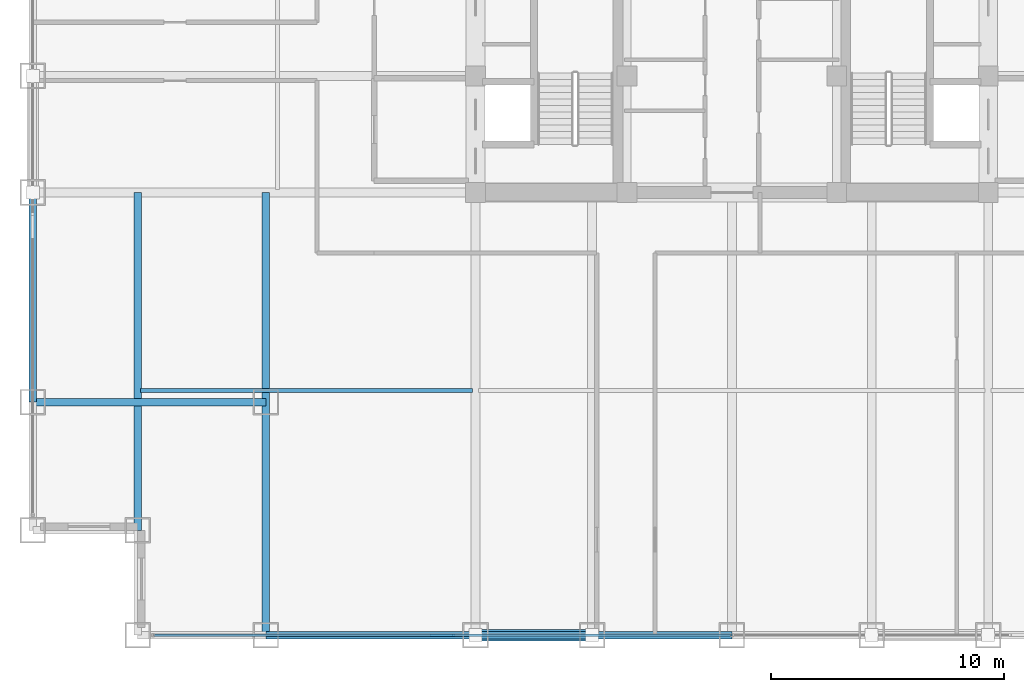
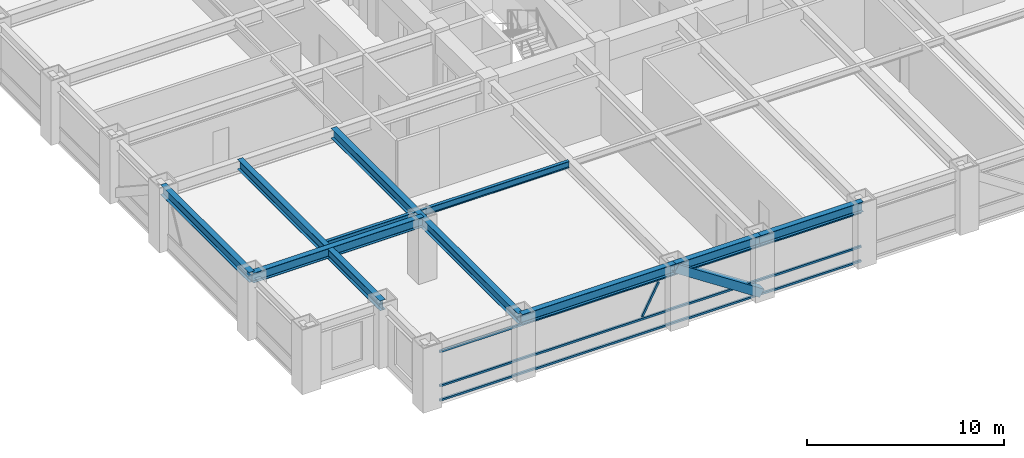
# One storey, part 3 of 24: 8 beams, 5 members, 1 element without a shape of its own.
"""IFC4 building model written with IfcOpenShell, lengths in metres."""

from ifc_helpers import new_model, si_unit, direction, frame, origin, origin_2d, place, context, subcontext, project, spatial, hollow_rectangle, i_section, extrude, source, transform, mapped, material, material_profile, profile_set, type_object, element, aggregate, save


model = new_model("IFC4")

# Units and contexts
model_context = context("Model", 3, precision=1e-05, world=origin(), true_north=direction((0.0, 1.0)))
body_context = subcontext(model_context, "Body", "Model", "MODEL_VIEW")
ifc_project = project(units=[si_unit("LENGTHUNIT", "METRE"), si_unit("AREAUNIT", "SQUARE_METRE"), si_unit("VOLUMEUNIT", "CUBIC_METRE"), si_unit("PLANEANGLEUNIT", "RADIAN"), si_unit("MASSUNIT", "GRAM", prefix="KILO")], contexts=[model_context])

# Site, building, storey
site_placement = place(None, origin())
site = spatial("IfcSite", under=ifc_project, at=site_placement, CompositionType="ELEMENT")
building_placement = place(site_placement, origin())
building = spatial("IfcBuilding", under=site, at=building_placement, Name="Khorayat Bourse Tower", CompositionType="ELEMENT")
storey_placement = place(building_placement, frame((0.0, 0.0, 159.10009765625)))
storey = spatial("IfcBuildingStorey", under=building, at=storey_placement, Name="L36", CompositionType="ELEMENT", Elevation=159.10009765625)

# Beams
ifc_material_1 = material(Name="Steel ASTM A992 Grade 50", Category="steel")
ifc_material_profile_1 = material_profile(ifc_material_1, i_section(OverallWidth=0.324951171875, OverallDepth=0.615966796875, WebThickness=0.013916015625, FlangeThickness=0.021484375, FilletRadius=0.01611328125, at=origin_2d()), Name="W610X174")
ifc_profile_set_1 = profile_set([ifc_material_profile_1], Name="Steel ASTM A992 Grade 50")
beam_type_1 = type_object("IfcBeamType", Name="BM-GIRD-610", PredefinedType="BEAM", material=ifc_profile_set_1)
shared_shape_1 = source(origin(), body_context, "Body", "SweptSolid", [
    extrude(i_section(OverallWidth=0.324951171875, OverallDepth=0.615966796875, WebThickness=0.013916015625, FlangeThickness=0.021484375, FilletRadius=0.01611328125, at=origin_2d()), origin(), (0.0, 0.0, 1.0), 19.0),
])
beam_1_placement = place(storey_placement, frame((-20.0, -30.0, 3.471923828125), z_axis=(0.0, 1.0, 0.0), x_axis=(-1.0, 0.0, 0.0)))
element("IfcBeam", 1, at=beam_1_placement, inside=storey, type_object=beam_type_1, Name="L36 BM-GIRD-610 BM-L36-CNRY-084", PredefinedType="BEAM", context=body_context, shape_type="MappedRepresentation", body=[
    mapped(shared_shape_1, transform((0.0, 0.0, 0.0), scale=1.0)),
])
shared_shape_2 = source(origin(), body_context, "Body", "SweptSolid", [
    extrude(i_section(OverallWidth=0.324951171875, OverallDepth=0.615966796875, WebThickness=0.013916015625, FlangeThickness=0.021484375, FilletRadius=0.01611328125, at=origin_2d()), origin(), (0.0, 0.0, 1.0), 14.5),
])
beam_2_placement = place(storey_placement, frame((-25.5, -25.5, 3.471923828125), z_axis=(0.0, 1.0, 0.0), x_axis=(-1.0, 0.0, 0.0)))
element("IfcBeam", 2, at=beam_2_placement, inside=storey, type_object=beam_type_1, Name="L36 BM-GIRD-610 BM-L36-CNRY-088", PredefinedType="BEAM", context=body_context, shape_type="MappedRepresentation", body=[
    mapped(shared_shape_2, transform((0.0, 0.0, 0.0), scale=1.0)),
])
shared_shape_3 = source(origin(), body_context, "Body", "SweptSolid", [
    extrude(i_section(OverallWidth=0.324951171875, OverallDepth=0.615966796875, WebThickness=0.013916015625, FlangeThickness=0.021484375, FilletRadius=0.01611328125, at=origin_2d()), origin(), (0.0, 0.0, 1.0), 10.0),
])
beam_3_placement = place(storey_placement, frame((-30.0, -20.0, 3.471923828125), z_axis=(1.0, 0.0, 0.0), x_axis=(0.0, 1.0, 0.0)))
element("IfcBeam", 3, at=beam_3_placement, inside=storey, type_object=beam_type_1, Name="L36 BM-GIRD-610 BM-L36-CNRX-093", PredefinedType="BEAM", context=body_context, shape_type="MappedRepresentation", body=[
    mapped(shared_shape_3, transform((0.0, 0.0, 0.0), scale=1.0)),
])
ifc_material_profile_2 = material_profile(ifc_material_1, i_section(OverallWidth=0.180908203125, OverallDepth=0.4169921875, WebThickness=0.010986328125, FlangeThickness=0.018310546875, FilletRadius=0.011962890625, at=origin_2d()), Name="W410X85")
ifc_profile_set_2 = profile_set([ifc_material_profile_2], Name="Steel ASTM A992 Grade 50")
beam_type_2 = type_object("IfcBeamType", Name="BM-JOIST-410", PredefinedType="JOIST", material=ifc_profile_set_2)
shared_shape_4 = source(origin(), body_context, "Body", "SweptSolid", [
    extrude(i_section(OverallWidth=0.180908203125, OverallDepth=0.4169921875, WebThickness=0.010986328125, FlangeThickness=0.018310546875, FilletRadius=0.011962890625, at=origin_2d()), origin(), (0.0, 0.0, 1.0), 14.240234375),
])
beam_4_placement = place(storey_placement, frame((-25.3701171875, -19.5, 3.5712890625), z_axis=(1.0, 0.0, 0.0), x_axis=(0.0, 1.0, 0.0)))
element("IfcBeam", 4, at=beam_4_placement, inside=storey, type_object=beam_type_2, Name="L36 BM-JOIST-410 BM-L36-JSTX-096", PredefinedType="JOIST", context=body_context, shape_type="MappedRepresentation", body=[
    mapped(shared_shape_4, transform((0.0, 0.0, 0.0), scale=1.0)),
])
ifc_material_profile_3 = material_profile(ifc_material_1, i_section(OverallWidth=0.324951171875, OverallDepth=0.615966796875, WebThickness=0.013916015625, FlangeThickness=0.021484375, FilletRadius=0.01611328125, at=origin_2d()), Name="W610X174")
ifc_profile_set_3 = profile_set([ifc_material_profile_3], Name="Steel ASTM A992 Grade 50")
beam_type_3 = type_object("IfcBeamType", Name="BM-SPAN-610", PredefinedType="SPANDREL", material=ifc_profile_set_3)
shared_shape_5 = source(origin(), body_context, "Body", "SweptSolid", [
    extrude(i_section(OverallWidth=0.324951171875, OverallDepth=0.615966796875, WebThickness=0.013916015625, FlangeThickness=0.021484375, FilletRadius=0.01611328125, at=origin_2d()), origin(), (0.0, 0.0, 1.0), 9.0),
])
for number, where, z_axis, x_axis, name in (
    (5, (-20.0, -30.0, 3.471923828125), (1.0, 0.0, 0.0), (0.0, 1.0, 0.0), "L36 BM-SPAN-610 BM-L36-SPN-025"),
    (6, (-30.0, -20.0, 3.471923828125), (0.0, 1.0, 0.0), (-1.0, 0.0, 0.0), "L36 BM-SPAN-610 BM-L36-SPN-060"),
):
    element("IfcBeam", number, at=place(storey_placement, frame(where, z_axis=z_axis, x_axis=x_axis)), inside=storey, type_object=beam_type_3, Name=name, PredefinedType="SPANDREL", context=body_context, shape_type="MappedRepresentation", body=[
        mapped(shared_shape_5, transform((0.0, 0.0, 0.0), scale=1.0)),
    ])
shared_shape_6 = source(origin(), body_context, "Body", "SweptSolid", [
    extrude(i_section(OverallWidth=0.324951171875, OverallDepth=0.615966796875, WebThickness=0.013916015625, FlangeThickness=0.021484375, FilletRadius=0.01611328125, at=origin_2d()), origin(), (0.0, 0.0, 1.0), 5.0),
])
beam_5_placement = place(storey_placement, frame((-11.0, -30.0, 3.471923828125), z_axis=(1.0, 0.0, 0.0), x_axis=(0.0, 1.0, 0.0)))
element("IfcBeam", 7, at=beam_5_placement, inside=storey, type_object=beam_type_3, Name="L36 BM-SPAN-610 BM-L36-SPN-026", PredefinedType="SPANDREL", context=body_context, shape_type="MappedRepresentation", body=[
    mapped(shared_shape_6, transform((0.0, 0.0, 0.0), scale=1.0)),
])
shared_shape_7 = source(origin(), body_context, "Body", "SweptSolid", [
    extrude(i_section(OverallWidth=0.324951171875, OverallDepth=0.615966796875, WebThickness=0.013916015625, FlangeThickness=0.021484375, FilletRadius=0.01611328125, at=origin_2d()), origin(), (0.0, 0.0, 1.0), 6.0),
])
beam_6_placement = place(storey_placement, frame((-6.0, -30.0, 3.471923828125), z_axis=(1.0, 0.0, 0.0), x_axis=(0.0, 1.0, 0.0)))
element("IfcBeam", 8, at=beam_6_placement, inside=storey, type_object=beam_type_3, Name="L36 BM-SPAN-610 BM-L36-SPN-027", PredefinedType="SPANDREL", context=body_context, shape_type="MappedRepresentation", body=[
    mapped(shared_shape_7, transform((0.0, 0.0, 0.0), scale=1.0)),
])

# Member
ifc_material_2 = material(Name="Steel EN 10025-4 S460M", Category="steel")
ifc_material_profile_4 = material_profile(ifc_material_2, hollow_rectangle(XDim=0.5, YDim=0.5, WallThickness=0.028076171875, at=origin_2d()), Name="HSS 500x500x28")
ifc_profile_set_4 = profile_set([ifc_material_profile_4], Name="Steel EN 10025-4 S460M")
member_type_1 = type_object("IfcMemberType", Name="MBR-TUBE-500", PredefinedType="BRACE", material=ifc_profile_set_4)
shared_shape_8 = source(origin(), body_context, "Body", "SweptSolid", [
    extrude(hollow_rectangle(XDim=0.5, YDim=0.5, WallThickness=0.028076171875, at=origin_2d()), origin(), (0.0, 0.0, 1.0), 5.979736328125),
])
member_1_placement = place(storey_placement, frame((-11.0, -30.0, 3.52978515625), z_axis=(0.836160261256, 0.0, -0.548485202623), x_axis=(0.0, 1.0, 0.0)))
element("IfcMember", 9, at=member_1_placement, inside=storey, type_object=member_type_1, Name="L36 Perimeter Tube Brace 01", PredefinedType="BRACE", context=body_context, shape_type="MappedRepresentation", body=[
    mapped(shared_shape_8, transform((0.0, 0.0, 0.0), scale=1.0)),
])

# Curtain wall, members
ifc_material_3 = material(Name="Aluminium EN AW-6063 T6", Category="aluminium")
curtain_wall_type = type_object("IfcCurtainWallType", Name="CW-SYS-03", PredefinedType="NOTDEFINED", material=ifc_material_3)
curtain_wall_placement = place(storey_placement, origin())
curtain_wall = element("IfcCurtainWall", 10, at=curtain_wall_placement, inside=storey, type_object=curtain_wall_type, Name="L36 Curtain Wall CW-L36-S1", PredefinedType="NOTDEFINED")
ifc_material_profile_5 = material_profile(ifc_material_3, hollow_rectangle(XDim=0.1201171875, YDim=0.1201171875, WallThickness=0.0048828125, at=origin_2d()), Name="ALU 120x120x5")
ifc_profile_set_5 = profile_set([ifc_material_profile_5], Name="Aluminium EN AW-6063 T6")
member_type_2 = type_object("IfcMemberType", Name="CWM-DIAG-120", PredefinedType="MULLION", material=ifc_profile_set_5)
shared_shape_9 = source(origin(), body_context, "Body", "SweptSolid", [
    extrude(hollow_rectangle(XDim=0.1201171875, YDim=0.1201171875, WallThickness=0.0048828125, at=origin_2d()), origin(), (0.0, 0.0, 1.0), 2.079345703125),
])
member_2_placement = place(storey_placement, frame((-12.904296875, -30.0, 1.08984375), z_axis=(0.465760949701, 0.0, 0.884910581773), x_axis=(0.0, 1.0, 0.0)))
member_2 = element("IfcMember", 11, at=member_2_placement, type_object=member_type_2, Name="CW-L36-S1 Faceted Diagonal Mullion 1", PredefinedType="MULLION", context=body_context, shape_type="MappedRepresentation", body=[
    mapped(shared_shape_9, transform((0.0, 0.0, 0.0), scale=1.0)),
])
ifc_material_profile_6 = material_profile(ifc_material_3, hollow_rectangle(XDim=0.1201171875, YDim=0.1201171875, WallThickness=0.0048828125, at=origin_2d()), Name="ALU 120x120x5")
ifc_profile_set_6 = profile_set([ifc_material_profile_6], Name="Aluminium EN AW-6063 T6")
member_type_3 = type_object("IfcMemberType", Name="CWT-HORZ-120", PredefinedType="USERDEFINED", material=ifc_profile_set_6)
shared_shape_10 = source(origin(), body_context, "Body", "SweptSolid", [
    extrude(hollow_rectangle(XDim=0.1201171875, YDim=0.1201171875, WallThickness=0.0048828125, at=origin_2d()), origin(), (0.0, 0.0, 1.0), 24.719970703125),
])
member_3_placement = place(storey_placement, frame((-24.780029296875, -30.0, 0.059814453125), z_axis=(1.0, 0.0, 0.0), x_axis=(0.0, 1.0, 0.0)))
member_3 = element("IfcMember", 12, at=member_3_placement, type_object=member_type_3, Name="CW-L36-S1 Horizontal Transom 1-1", ObjectType="TRANSOM", PredefinedType="USERDEFINED", context=body_context, shape_type="MappedRepresentation", body=[
    mapped(shared_shape_10, transform((0.0, 0.0, 0.0), scale=1.0)),
])
member_4_placement = place(storey_placement, frame((-24.780029296875, -30.0, 0.949951171875), z_axis=(1.0, 0.0, 0.0), x_axis=(0.0, 1.0, 0.0)))
member_4 = element("IfcMember", 13, at=member_4_placement, type_object=member_type_3, Name="CW-L36-S1 Horizontal Transom 1-2", ObjectType="TRANSOM", PredefinedType="USERDEFINED", context=body_context, shape_type="MappedRepresentation", body=[
    mapped(shared_shape_10, transform((0.0, 0.0, 0.0), scale=1.0)),
])
member_5_placement = place(storey_placement, frame((-24.780029296875, -30.0, 3.06982421875), z_axis=(1.0, 0.0, 0.0), x_axis=(0.0, 1.0, 0.0)))
member_5 = element("IfcMember", 14, at=member_5_placement, type_object=member_type_3, Name="CW-L36-S1 Horizontal Transom 1-3", ObjectType="TRANSOM", PredefinedType="USERDEFINED", context=body_context, shape_type="MappedRepresentation", body=[
    mapped(shared_shape_10, transform((0.0, 0.0, 0.0), scale=1.0)),
])
aggregate(curtain_wall, [member_3, member_4, member_5, member_2])

save(model, "model.ifc")
